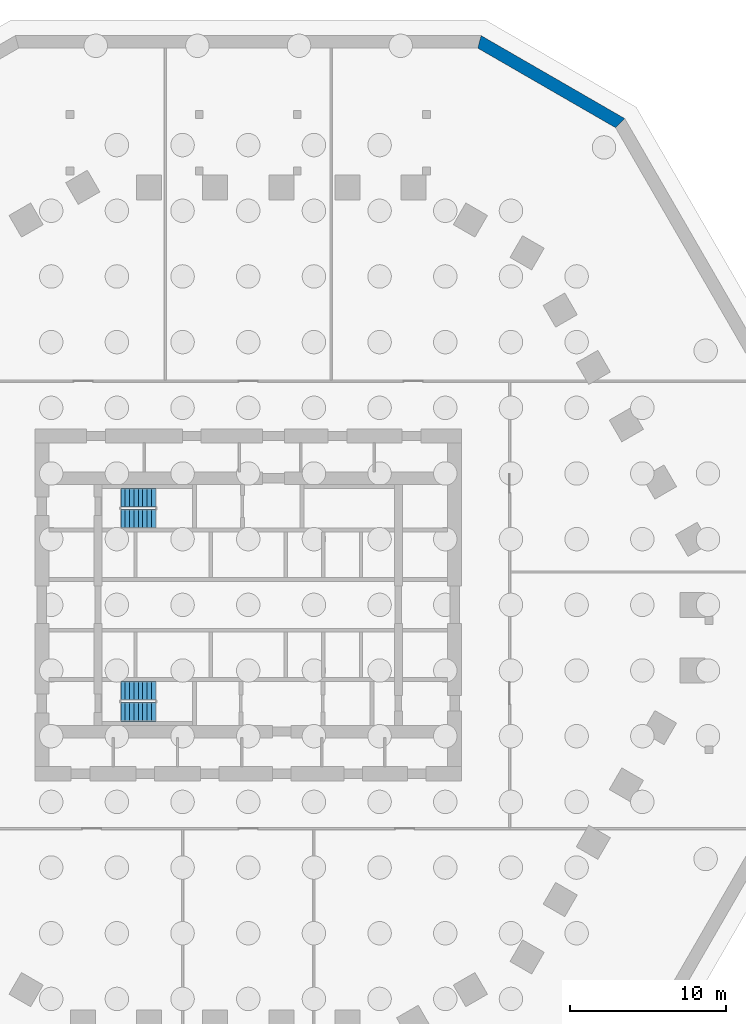
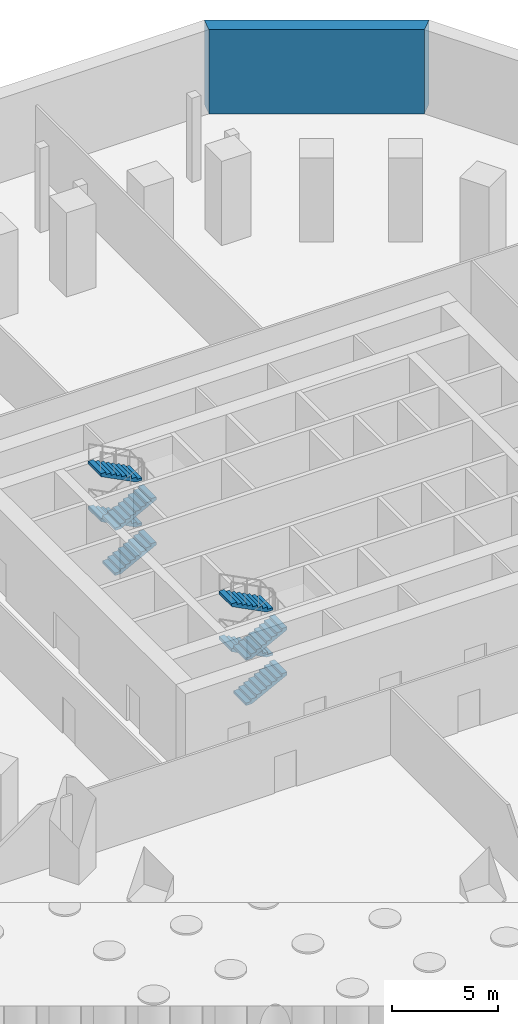
# One storey, part 5 of 6: 8 stair flights, 1 wall, 2 elements without a shape of their own.
"""IFC4 building model written with IfcOpenShell, lengths in metres."""

from ifc_helpers import new_model, si_unit, direction, frame, origin, place, context, subcontext, project, spatial, polyline, outline, extrude, material, layer, layer_set, type_object, element, aggregate, save


model = new_model("IFC4")

# Units and contexts
model_context = context("Model", 3, precision=1e-05, world=origin(), true_north=direction((0.0, 1.0)))
body_context = subcontext(model_context, "Body", "Model", "MODEL_VIEW")
ifc_project = project(units=[si_unit("LENGTHUNIT", "METRE"), si_unit("AREAUNIT", "SQUARE_METRE"), si_unit("VOLUMEUNIT", "CUBIC_METRE"), si_unit("PLANEANGLEUNIT", "RADIAN"), si_unit("MASSUNIT", "GRAM", prefix="KILO")], contexts=[model_context])

# Site, building, storey
site_placement = place(None, origin())
site = spatial("IfcSite", under=ifc_project, at=site_placement, CompositionType="ELEMENT")
building_placement = place(site_placement, origin())
building = spatial("IfcBuilding", under=site, at=building_placement, Name="Frailejon Research Tower", CompositionType="ELEMENT")
storey_placement = place(building_placement, frame((0.0, 0.0, -5.199951171875)))
storey = spatial("IfcBuildingStorey", under=building, at=storey_placement, Name="B1", CompositionType="ELEMENT", Elevation=-5.199951171875)

# Wall
ifc_material_1 = material(Name="Concrete C50/60", Category="concrete")
ifc_layer_1 = layer(ifc_material_1, 0.800048828125)
ifc_layer_set_1 = layer_set([ifc_layer_1], Name="Basement wall 800")
wall_type = type_object("IfcWallType", Name="Basement wall 800", PredefinedType="SOLIDWALL", material=ifc_layer_set_1)
wall_placement = place(storey_placement, origin())
element("IfcWall", 1, at=wall_placement, inside=storey, type_object=wall_type, Name="Basement retaining wall", PredefinedType="SOLIDWALL", context=body_context, shape_type="SweptSolid", body=[
    extrude(outline(polyline([(24.077392578125, 31.0966796875), (14.891845703125, 36.39990234375), (14.677490234375, 35.60009765625), (23.49169921875, 30.510986328125), (24.077392578125, 31.0966796875)])), origin(), (0.0, 0.0, 1.0), 4.849853515625),
])

# Stair, stair flights
ifc_material_2 = material(Name="Concrete C50/60", Category="concrete")
stair_type = type_object("IfcStairType", Name="Exit stair 36 risers", PredefinedType="HALF_TURN_STAIR", material=ifc_material_2)
stair_1_placement = place(storey_placement, origin())
stair_1 = element("IfcStair", 2, at=stair_1_placement, inside=storey, type_object=stair_type, Name="B1 Exit stair ST1", PredefinedType="HALF_TURN_STAIR")
ifc_material_3 = material(Name="Concrete C50/60", Category="concrete")
ifc_layer_2 = layer(ifc_material_3, 0.14990234375)
ifc_layer_set_2 = layer_set([ifc_layer_2], Name="Stair flight 9 risers")
stair_flight_type = type_object("IfcStairFlightType", Name="Stair flight 9 risers", PredefinedType="STRAIGHT", material=ifc_layer_set_2)
stair_flight_1_placement = place(storey_placement, frame((-8.14990234375, 5.5, 0.0), z_axis=(0.0, 0.0, 1.0), x_axis=(1.0, 0.0, 0.0)))
stair_flight_1 = element("IfcStairFlight", 3, at=stair_flight_1_placement, type_object=stair_flight_type, Name="ST1 flight 1", NumberOfRisers=9, NumberOfTreads=8, PredefinedType="STRAIGHT", RiserHeight=0.144444444, TreadLength=0.28, context=body_context, shape_type="SweptSolid", body=[
    extrude(outline(polyline([(0.0, 0.0), (0.0, 0.14453125), (0.280029296875, 0.14453125), (0.280029296875, 0.288818359375), (0.56005859375, 0.288818359375), (0.56005859375, 0.433349609375), (0.840087890625, 0.433349609375), (0.840087890625, 0.577880859375), (1.1201171875, 0.577880859375), (1.1201171875, 0.72216796875), (1.39990234375, 0.72216796875), (1.39990234375, 0.86669921875), (1.679931640625, 0.86669921875), (1.679931640625, 1.01123046875), (1.9599609375, 1.01123046875), (1.9599609375, 1.155517578125), (2.239990234375, 1.155517578125), (2.239990234375, 1.300048828125), (2.239990234375, 0.98681640625), (0.326904296875, 0.0), (0.0, 0.0)])), frame((0.0, 0.60009765625, 0.0), z_axis=(0.0, -1.0, 0.0), x_axis=(1.0, 0.0, 0.0)), (0.0, 0.0, 1.0), 1.199951171875),
])
stair_flight_2_placement = place(storey_placement, frame((-5.909912109375, 6.85009765625, 1.300048828125), z_axis=(0.0, 0.0, 1.0), x_axis=(-1.0, 0.0, 0.0)))
stair_flight_2 = element("IfcStairFlight", 4, at=stair_flight_2_placement, type_object=stair_flight_type, Name="ST1 flight 2", NumberOfRisers=9, NumberOfTreads=8, PredefinedType="STRAIGHT", RiserHeight=0.144444444, TreadLength=0.28, context=body_context, shape_type="SweptSolid", body=[
    extrude(outline(polyline([(0.0, 0.0), (0.0, 0.14453125), (0.280029296875, 0.14453125), (0.280029296875, 0.288818359375), (0.56005859375, 0.288818359375), (0.56005859375, 0.433349609375), (0.840087890625, 0.433349609375), (0.840087890625, 0.577880859375), (1.1201171875, 0.577880859375), (1.1201171875, 0.72216796875), (1.39990234375, 0.72216796875), (1.39990234375, 0.86669921875), (1.679931640625, 0.86669921875), (1.679931640625, 1.01123046875), (1.9599609375, 1.01123046875), (1.9599609375, 1.155517578125), (2.239990234375, 1.155517578125), (2.239990234375, 1.300048828125), (2.239990234375, 0.98681640625), (0.326904296875, 0.0), (0.0, 0.0)])), frame((0.0, 0.60009765625, 0.0), z_axis=(0.0, -1.0, 0.0), x_axis=(1.0, 0.0, 0.0)), (0.0, 0.0, 1.0), 1.199951171875),
])
stair_flight_3_placement = place(storey_placement, frame((-8.14990234375, 5.5, 2.599853515625), z_axis=(0.0, 0.0, 1.0), x_axis=(1.0, 0.0, 0.0)))
stair_flight_3 = element("IfcStairFlight", 5, at=stair_flight_3_placement, type_object=stair_flight_type, Name="ST1 flight 3", NumberOfRisers=9, NumberOfTreads=8, PredefinedType="STRAIGHT", RiserHeight=0.144444444, TreadLength=0.28, context=body_context, shape_type="SweptSolid", body=[
    extrude(outline(polyline([(0.0, 0.0), (0.0, 0.14453125), (0.280029296875, 0.14453125), (0.280029296875, 0.288818359375), (0.56005859375, 0.288818359375), (0.56005859375, 0.433349609375), (0.840087890625, 0.433349609375), (0.840087890625, 0.577880859375), (1.1201171875, 0.577880859375), (1.1201171875, 0.72216796875), (1.39990234375, 0.72216796875), (1.39990234375, 0.86669921875), (1.679931640625, 0.86669921875), (1.679931640625, 1.01123046875), (1.9599609375, 1.01123046875), (1.9599609375, 1.155517578125), (2.239990234375, 1.155517578125), (2.239990234375, 1.300048828125), (2.239990234375, 0.98681640625), (0.326904296875, 0.0), (0.0, 0.0)])), frame((0.0, 0.60009765625, 0.0), z_axis=(0.0, -1.0, 0.0), x_axis=(1.0, 0.0, 0.0)), (0.0, 0.0, 1.0), 1.199951171875),
])
stair_flight_4_placement = place(storey_placement, frame((-5.909912109375, 6.85009765625, 3.89990234375), z_axis=(0.0, 0.0, 1.0), x_axis=(-1.0, 0.0, 0.0)))
stair_flight_4 = element("IfcStairFlight", 6, at=stair_flight_4_placement, type_object=stair_flight_type, Name="ST1 flight 4", NumberOfRisers=9, NumberOfTreads=8, PredefinedType="STRAIGHT", RiserHeight=0.144444444, TreadLength=0.28, context=body_context, shape_type="SweptSolid", body=[
    extrude(outline(polyline([(0.0, 0.0), (0.0, 0.14453125), (0.280029296875, 0.14453125), (0.280029296875, 0.288818359375), (0.56005859375, 0.288818359375), (0.56005859375, 0.433349609375), (0.840087890625, 0.433349609375), (0.840087890625, 0.577880859375), (1.1201171875, 0.577880859375), (1.1201171875, 0.72216796875), (1.39990234375, 0.72216796875), (1.39990234375, 0.86669921875), (1.679931640625, 0.86669921875), (1.679931640625, 1.01123046875), (1.9599609375, 1.01123046875), (1.9599609375, 1.155517578125), (2.239990234375, 1.155517578125), (2.239990234375, 1.300048828125), (2.239990234375, 0.98681640625), (0.326904296875, 0.0), (0.0, 0.0)])), frame((0.0, 0.60009765625, 0.0), z_axis=(0.0, -1.0, 0.0), x_axis=(1.0, 0.0, 0.0)), (0.0, 0.0, 1.0), 1.199951171875),
])
aggregate(stair_1, [stair_flight_1, stair_flight_2, stair_flight_3, stair_flight_4])

stair_2_placement = place(storey_placement, origin())
stair_2 = element("IfcStair", 7, at=stair_2_placement, inside=storey, type_object=stair_type, Name="B1 Exit stair ST2", PredefinedType="HALF_TURN_STAIR")
stair_flight_5_placement = place(storey_placement, frame((-8.14990234375, -6.85009765625, 0.0), z_axis=(0.0, 0.0, 1.0), x_axis=(1.0, 0.0, 0.0)))
stair_flight_5 = element("IfcStairFlight", 8, at=stair_flight_5_placement, type_object=stair_flight_type, Name="ST2 flight 1", NumberOfRisers=9, NumberOfTreads=8, PredefinedType="STRAIGHT", RiserHeight=0.144444444, TreadLength=0.28, context=body_context, shape_type="SweptSolid", body=[
    extrude(outline(polyline([(0.0, 0.0), (0.0, 0.14453125), (0.280029296875, 0.14453125), (0.280029296875, 0.288818359375), (0.56005859375, 0.288818359375), (0.56005859375, 0.433349609375), (0.840087890625, 0.433349609375), (0.840087890625, 0.577880859375), (1.1201171875, 0.577880859375), (1.1201171875, 0.72216796875), (1.39990234375, 0.72216796875), (1.39990234375, 0.86669921875), (1.679931640625, 0.86669921875), (1.679931640625, 1.01123046875), (1.9599609375, 1.01123046875), (1.9599609375, 1.155517578125), (2.239990234375, 1.155517578125), (2.239990234375, 1.300048828125), (2.239990234375, 0.98681640625), (0.326904296875, 0.0), (0.0, 0.0)])), frame((0.0, 0.60009765625, 0.0), z_axis=(0.0, -1.0, 0.0), x_axis=(1.0, 0.0, 0.0)), (0.0, 0.0, 1.0), 1.199951171875),
])
stair_flight_6_placement = place(storey_placement, frame((-5.909912109375, -5.5, 1.300048828125), z_axis=(0.0, 0.0, 1.0), x_axis=(-1.0, 0.0, 0.0)))
stair_flight_6 = element("IfcStairFlight", 9, at=stair_flight_6_placement, type_object=stair_flight_type, Name="ST2 flight 2", NumberOfRisers=9, NumberOfTreads=8, PredefinedType="STRAIGHT", RiserHeight=0.144444444, TreadLength=0.28, context=body_context, shape_type="SweptSolid", body=[
    extrude(outline(polyline([(0.0, 0.0), (0.0, 0.14453125), (0.280029296875, 0.14453125), (0.280029296875, 0.288818359375), (0.56005859375, 0.288818359375), (0.56005859375, 0.433349609375), (0.840087890625, 0.433349609375), (0.840087890625, 0.577880859375), (1.1201171875, 0.577880859375), (1.1201171875, 0.72216796875), (1.39990234375, 0.72216796875), (1.39990234375, 0.86669921875), (1.679931640625, 0.86669921875), (1.679931640625, 1.01123046875), (1.9599609375, 1.01123046875), (1.9599609375, 1.155517578125), (2.239990234375, 1.155517578125), (2.239990234375, 1.300048828125), (2.239990234375, 0.98681640625), (0.326904296875, 0.0), (0.0, 0.0)])), frame((0.0, 0.60009765625, 0.0), z_axis=(0.0, -1.0, 0.0), x_axis=(1.0, 0.0, 0.0)), (0.0, 0.0, 1.0), 1.199951171875),
])
stair_flight_7_placement = place(storey_placement, frame((-8.14990234375, -6.85009765625, 2.599853515625), z_axis=(0.0, 0.0, 1.0), x_axis=(1.0, 0.0, 0.0)))
stair_flight_7 = element("IfcStairFlight", 10, at=stair_flight_7_placement, type_object=stair_flight_type, Name="ST2 flight 3", NumberOfRisers=9, NumberOfTreads=8, PredefinedType="STRAIGHT", RiserHeight=0.144444444, TreadLength=0.28, context=body_context, shape_type="SweptSolid", body=[
    extrude(outline(polyline([(0.0, 0.0), (0.0, 0.14453125), (0.280029296875, 0.14453125), (0.280029296875, 0.288818359375), (0.56005859375, 0.288818359375), (0.56005859375, 0.433349609375), (0.840087890625, 0.433349609375), (0.840087890625, 0.577880859375), (1.1201171875, 0.577880859375), (1.1201171875, 0.72216796875), (1.39990234375, 0.72216796875), (1.39990234375, 0.86669921875), (1.679931640625, 0.86669921875), (1.679931640625, 1.01123046875), (1.9599609375, 1.01123046875), (1.9599609375, 1.155517578125), (2.239990234375, 1.155517578125), (2.239990234375, 1.300048828125), (2.239990234375, 0.98681640625), (0.326904296875, 0.0), (0.0, 0.0)])), frame((0.0, 0.60009765625, 0.0), z_axis=(0.0, -1.0, 0.0), x_axis=(1.0, 0.0, 0.0)), (0.0, 0.0, 1.0), 1.199951171875),
])
stair_flight_8_placement = place(storey_placement, frame((-5.909912109375, -5.5, 3.89990234375), z_axis=(0.0, 0.0, 1.0), x_axis=(-1.0, 0.0, 0.0)))
stair_flight_8 = element("IfcStairFlight", 11, at=stair_flight_8_placement, type_object=stair_flight_type, Name="ST2 flight 4", NumberOfRisers=9, NumberOfTreads=8, PredefinedType="STRAIGHT", RiserHeight=0.144444444, TreadLength=0.28, context=body_context, shape_type="SweptSolid", body=[
    extrude(outline(polyline([(0.0, 0.0), (0.0, 0.14453125), (0.280029296875, 0.14453125), (0.280029296875, 0.288818359375), (0.56005859375, 0.288818359375), (0.56005859375, 0.433349609375), (0.840087890625, 0.433349609375), (0.840087890625, 0.577880859375), (1.1201171875, 0.577880859375), (1.1201171875, 0.72216796875), (1.39990234375, 0.72216796875), (1.39990234375, 0.86669921875), (1.679931640625, 0.86669921875), (1.679931640625, 1.01123046875), (1.9599609375, 1.01123046875), (1.9599609375, 1.155517578125), (2.239990234375, 1.155517578125), (2.239990234375, 1.300048828125), (2.239990234375, 0.98681640625), (0.326904296875, 0.0), (0.0, 0.0)])), frame((0.0, 0.60009765625, 0.0), z_axis=(0.0, -1.0, 0.0), x_axis=(1.0, 0.0, 0.0)), (0.0, 0.0, 1.0), 1.199951171875),
])
aggregate(stair_2, [stair_flight_5, stair_flight_6, stair_flight_7, stair_flight_8])

save(model, "model.ifc")
